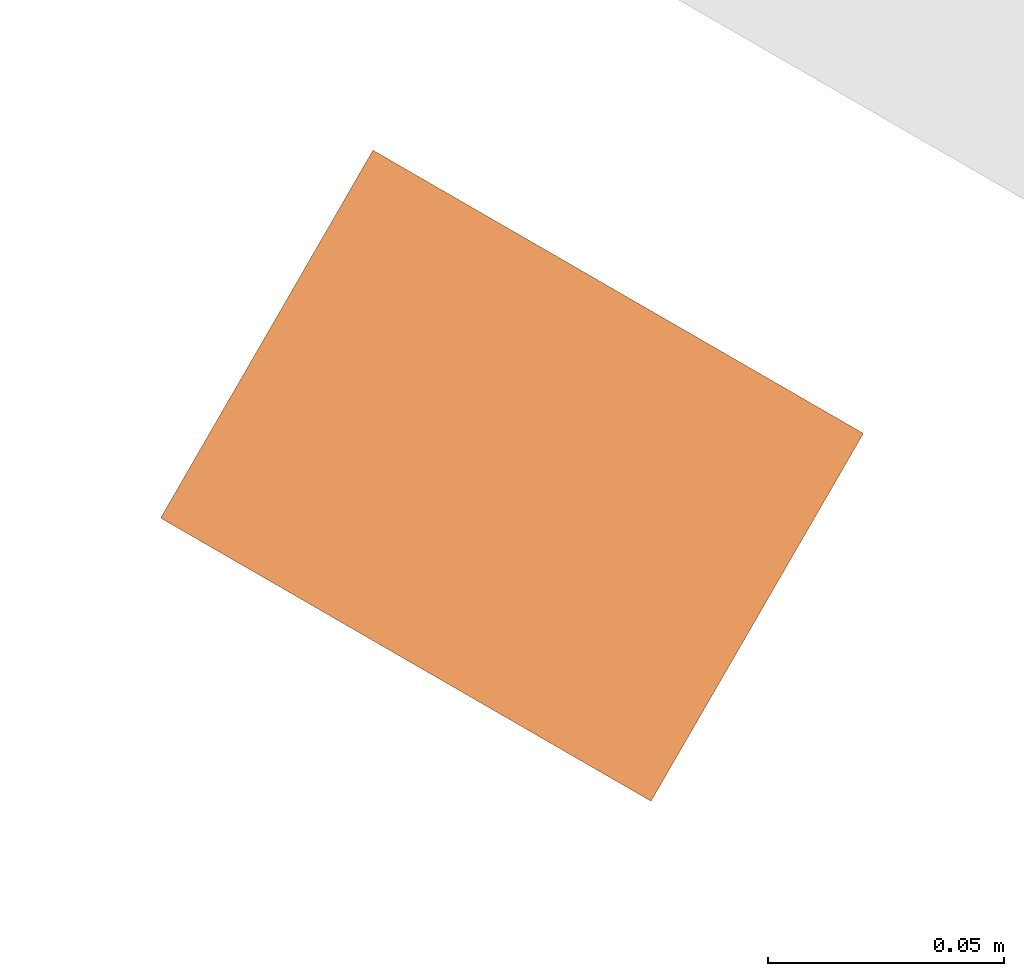
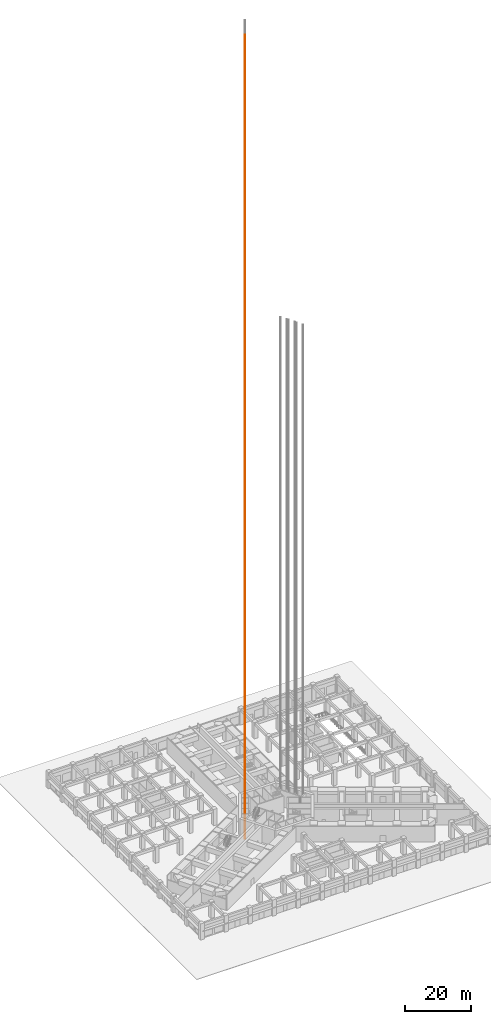
# One storey, part 22 of 33: 1 proxy.
"""IFC4 building model written with IfcOpenShell, lengths in metres."""

from ifc_helpers import new_model, si_unit, direction, frame, origin, origin_2d, place, context, subcontext, project, spatial, rectangle, extrude, material, type_object, element, save


model = new_model("IFC4")

# Units and contexts
model_context = context("Model", 3, precision=1e-05, world=origin(), true_north=direction((0.0, 1.0)))
body_context = subcontext(model_context, "Body", "Model", "MODEL_VIEW")
ifc_project = project(units=[si_unit("LENGTHUNIT", "METRE"), si_unit("AREAUNIT", "SQUARE_METRE"), si_unit("VOLUMEUNIT", "CUBIC_METRE"), si_unit("PLANEANGLEUNIT", "RADIAN"), si_unit("MASSUNIT", "GRAM", prefix="KILO")], contexts=[model_context])

# Site, building, storey
site_placement = place(None, origin())
site = spatial("IfcSite", under=ifc_project, at=site_placement, CompositionType="ELEMENT")
building_placement = place(site_placement, origin())
building = spatial("IfcBuilding", under=site, at=building_placement, Name="Impinga Residences", CompositionType="ELEMENT")
storey_placement = place(building_placement, origin())
storey = spatial("IfcBuildingStorey", under=building, at=storey_placement, Name="L00", CompositionType="ELEMENT", Elevation=0.0)

# Proxy
ifc_material = material(Name="Steel lift guide rail, galvanised", Category="steel")
building_element_proxy_type = type_object("IfcBuildingElementProxyType", Name="LGR lift guide rail", PredefinedType="USERDEFINED", material=ifc_material)
proxy_placement = place(storey_placement, frame((-10.0771484375, 1.308837890625, -3.5), z_axis=(0.0, 0.0, 1.0), x_axis=(-0.5, -0.866025403784, 0.0)))
element("IfcBuildingElementProxy", 1, at=proxy_placement, inside=storey, type_object=building_element_proxy_type, Name="Guide rail P7 2", ObjectType="Lift guide rail", PredefinedType="USERDEFINED", context=body_context, shape_type="SweptSolid", body=[
    extrude(rectangle(XDim=0.090087890625, YDim=0.1201171875, at=origin_2d()), origin(), (0.0, 0.0, 1.0), 297.449951171875),
])

save(model, "model.ifc")
